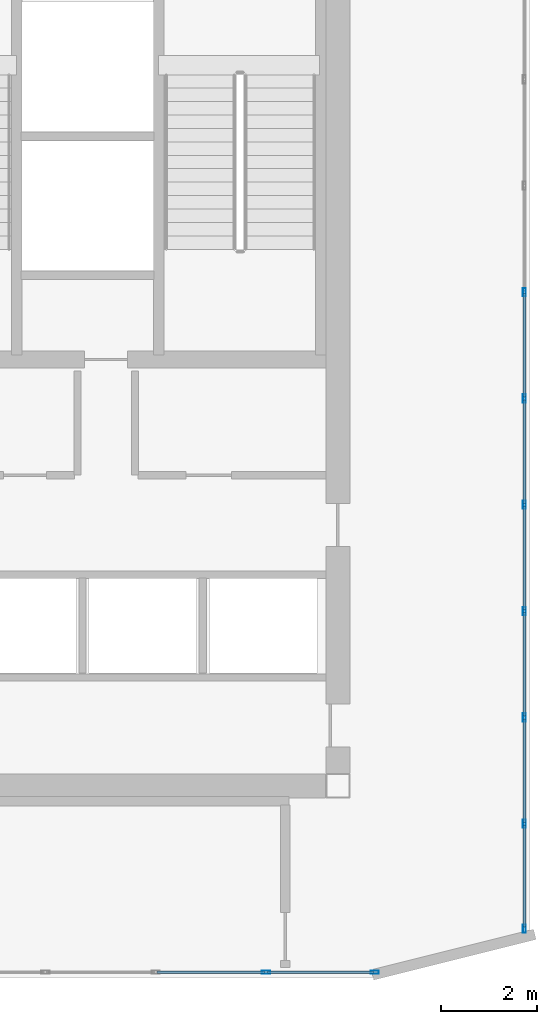
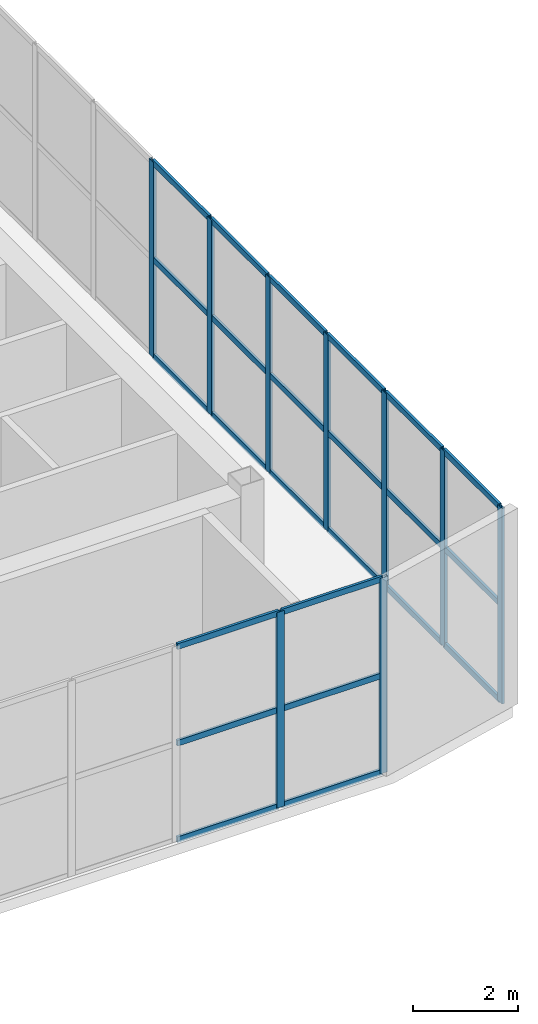
# One storey, part 3 of 9: 33 members, 2 elements without a shape of their own.
"""IFC4 building model written with IfcOpenShell, lengths in metres."""

from ifc_helpers import new_model, si_unit, direction, frame, origin, origin_2d, place, context, subcontext, project, spatial, hollow_rectangle, extrude, material, layer, layer_set, material_profile, profile_set, type_object, element, aggregate, save


model = new_model("IFC4")

# Units and contexts
model_context = context("Model", 3, precision=1e-05, world=origin(), true_north=direction((0.0, 1.0)))
body_context = subcontext(model_context, "Body", "Model", "MODEL_VIEW")
ifc_project = project(units=[si_unit("LENGTHUNIT", "METRE"), si_unit("AREAUNIT", "SQUARE_METRE"), si_unit("VOLUMEUNIT", "CUBIC_METRE"), si_unit("PLANEANGLEUNIT", "RADIAN"), si_unit("MASSUNIT", "GRAM", prefix="KILO")], contexts=[model_context])

# Site, building, storey
site_placement = place(None, origin())
site = spatial("IfcSite", under=ifc_project, at=site_placement, CompositionType="ELEMENT")
building_placement = place(site_placement, origin())
building = spatial("IfcBuilding", under=site, at=building_placement, Name="Haolan Belvedere Tower", CompositionType="ELEMENT")
storey_placement = place(building_placement, frame((0.0, 0.0, 328.199951171875)))
storey = spatial("IfcBuildingStorey", under=building, at=storey_placement, Name="L82", CompositionType="ELEMENT", Elevation=328.199951171875)

# Curtain wall, members
ifc_material_1 = material(Name="Anodised champagne-silver aluminium 6063-T6 and Low-E glass", Category="aluminium")
ifc_layer = layer(ifc_material_1, 0.172119140625, Name="Anodised champagne-silver aluminium 6063-T6 and Low-E glass")
ifc_layer_set = layer_set([ifc_layer], Name="Anodised champagne-silver aluminium 6063-T6 and Low-E glass")
curtain_wall_type = type_object("IfcCurtainWallType", Name="CW-SYS-07", PredefinedType="NOTDEFINED", material=ifc_layer_set)
curtain_wall_1_placement = place(storey_placement, origin())
curtain_wall_1 = element("IfcCurtainWall", 1, at=curtain_wall_1_placement, inside=storey, type_object=curtain_wall_type, Name="L82 CW-SYS-07 ribbon curtain wall 2.1", PredefinedType="NOTDEFINED")
ifc_material_2 = material(Name="Anodised aluminium 6063-T6", Category="aluminium")
ifc_material_profile_1 = material_profile(ifc_material_2, hollow_rectangle(XDim=0.06201171875, YDim=0.172119140625, WallThickness=0.00390625, at=origin_2d()), Name="Anodised aluminium 6063-T6")
ifc_profile_set_1 = profile_set([ifc_material_profile_1], Name="Anodised aluminium 6063-T6")
member_type_1 = type_object("IfcMemberType", Name="CW-SYS-07-MUL", PredefinedType="MULLION", material=ifc_profile_set_1)
member_1_placement = place(storey_placement, frame((45.30029296875, 22.510009765625, 0.0), z_axis=(0.0, 0.0, 1.0), x_axis=(0.0, 1.0, 0.0)))
member_1 = element("IfcMember", 2, at=member_1_placement, type_object=member_type_1, Name="CW-07 mullion 8", PredefinedType="MULLION", context=body_context, shape_type="SweptSolid", body=[
    extrude(hollow_rectangle(XDim=0.06201171875, YDim=0.172119140625, WallThickness=0.00390625, at=origin_2d()), origin(), (0.0, 0.0, 1.0), 4.550048828125),
])
member_2_placement = place(storey_placement, frame((47.5693359375, 22.510009765625, 0.0), z_axis=(0.0, 0.0, 1.0), x_axis=(0.0, 1.0, 0.0)))
member_2 = element("IfcMember", 3, at=member_2_placement, type_object=member_type_1, Name="CW-07 mullion 9", PredefinedType="MULLION", context=body_context, shape_type="SweptSolid", body=[
    extrude(hollow_rectangle(XDim=0.06201171875, YDim=0.172119140625, WallThickness=0.00390625, at=origin_2d()), origin(), (0.0, 0.0, 1.0), 4.550048828125),
])

curtain_wall_2_placement = place(storey_placement, origin())
curtain_wall_2 = element("IfcCurtainWall", 4, at=curtain_wall_2_placement, inside=storey, type_object=curtain_wall_type, Name="L82 CW-SYS-07 ribbon curtain wall 4.1", PredefinedType="NOTDEFINED")
member_3_placement = place(storey_placement, frame((50.68994140625, 23.41845703125, 0.0), z_axis=(0.0, 0.0, 1.0), x_axis=(-1.0, 0.0, 0.0)))
member_3 = element("IfcMember", 5, at=member_3_placement, type_object=member_type_1, Name="CW-07 mullion 1", PredefinedType="MULLION", context=body_context, shape_type="SweptSolid", body=[
    extrude(hollow_rectangle(XDim=0.06201171875, YDim=0.172119140625, WallThickness=0.00390625, at=origin_2d()), origin(), (0.0, 0.0, 1.0), 4.550048828125),
])
member_4_placement = place(storey_placement, frame((50.68994140625, 25.60546875, 0.0), z_axis=(0.0, 0.0, 1.0), x_axis=(-1.0, 0.0, 0.0)))
member_4 = element("IfcMember", 6, at=member_4_placement, type_object=member_type_1, Name="CW-07 mullion 2", PredefinedType="MULLION", context=body_context, shape_type="SweptSolid", body=[
    extrude(hollow_rectangle(XDim=0.06201171875, YDim=0.172119140625, WallThickness=0.00390625, at=origin_2d()), origin(), (0.0, 0.0, 1.0), 4.550048828125),
])
member_5_placement = place(storey_placement, frame((50.68994140625, 27.82373046875, 0.0), z_axis=(0.0, 0.0, 1.0), x_axis=(-1.0, 0.0, 0.0)))
member_5 = element("IfcMember", 7, at=member_5_placement, type_object=member_type_1, Name="CW-07 mullion 3", PredefinedType="MULLION", context=body_context, shape_type="SweptSolid", body=[
    extrude(hollow_rectangle(XDim=0.06201171875, YDim=0.172119140625, WallThickness=0.00390625, at=origin_2d()), origin(), (0.0, 0.0, 1.0), 4.550048828125),
])
member_6_placement = place(storey_placement, frame((50.68994140625, 30.041748046875, 0.0), z_axis=(0.0, 0.0, 1.0), x_axis=(-1.0, 0.0, 0.0)))
member_6 = element("IfcMember", 8, at=member_6_placement, type_object=member_type_1, Name="CW-07 mullion 4", PredefinedType="MULLION", context=body_context, shape_type="SweptSolid", body=[
    extrude(hollow_rectangle(XDim=0.06201171875, YDim=0.172119140625, WallThickness=0.00390625, at=origin_2d()), origin(), (0.0, 0.0, 1.0), 4.550048828125),
])
member_7_placement = place(storey_placement, frame((50.68994140625, 32.259765625, 0.0), z_axis=(0.0, 0.0, 1.0), x_axis=(-1.0, 0.0, 0.0)))
member_7 = element("IfcMember", 9, at=member_7_placement, type_object=member_type_1, Name="CW-07 mullion 5", PredefinedType="MULLION", context=body_context, shape_type="SweptSolid", body=[
    extrude(hollow_rectangle(XDim=0.06201171875, YDim=0.172119140625, WallThickness=0.00390625, at=origin_2d()), origin(), (0.0, 0.0, 1.0), 4.550048828125),
])
member_8_placement = place(storey_placement, frame((50.68994140625, 34.477783203125, 0.0), z_axis=(0.0, 0.0, 1.0), x_axis=(-1.0, 0.0, 0.0)))
member_8 = element("IfcMember", 10, at=member_8_placement, type_object=member_type_1, Name="CW-07 mullion 6", PredefinedType="MULLION", context=body_context, shape_type="SweptSolid", body=[
    extrude(hollow_rectangle(XDim=0.06201171875, YDim=0.172119140625, WallThickness=0.00390625, at=origin_2d()), origin(), (0.0, 0.0, 1.0), 4.550048828125),
])
member_9_placement = place(storey_placement, frame((50.68994140625, 36.69580078125, 0.0), z_axis=(0.0, 0.0, 1.0), x_axis=(-1.0, 0.0, 0.0)))
member_9 = element("IfcMember", 11, at=member_9_placement, type_object=member_type_1, Name="CW-07 mullion 7", PredefinedType="MULLION", context=body_context, shape_type="SweptSolid", body=[
    extrude(hollow_rectangle(XDim=0.06201171875, YDim=0.172119140625, WallThickness=0.00390625, at=origin_2d()), origin(), (0.0, 0.0, 1.0), 4.550048828125),
])

# Member
ifc_material_profile_2 = material_profile(ifc_material_2, hollow_rectangle(XDim=0.05810546875, YDim=0.135009765625, WallThickness=0.00390625, at=origin_2d()), Name="Anodised aluminium 6063-T6")
ifc_profile_set_2 = profile_set([ifc_material_profile_2], Name="Anodised aluminium 6063-T6")
member_type_2 = type_object("IfcMemberType", Name="CW-SYS-07-TRN", PredefinedType="USERDEFINED", material=ifc_profile_set_2)
member_10_placement = place(storey_placement, frame((43.03125, 22.510009765625, 0.029052734375), z_axis=(1.0, 0.0, 0.0), x_axis=(0.0, 1.0, 0.0)))
member_10 = element("IfcMember", 12, at=member_10_placement, type_object=member_type_2, Name="CW-07 transom 7.1", ObjectType="TRANSOM", PredefinedType="USERDEFINED", context=body_context, shape_type="SweptSolid", body=[
    extrude(hollow_rectangle(XDim=0.05810546875, YDim=0.135009765625, WallThickness=0.00390625, at=origin_2d()), origin(), (0.0, 0.0, 1.0), 2.238037109375),
])

member_11_placement = place(storey_placement, frame((43.03125, 22.510009765625, 2.275146484375), z_axis=(1.0, 0.0, 0.0), x_axis=(0.0, 1.0, 0.0)))
member_11 = element("IfcMember", 13, at=member_11_placement, type_object=member_type_2, Name="CW-07 transom 7.2", ObjectType="TRANSOM", PredefinedType="USERDEFINED", context=body_context, shape_type="SweptSolid", body=[
    extrude(hollow_rectangle(XDim=0.05810546875, YDim=0.135009765625, WallThickness=0.00390625, at=origin_2d()), origin(), (0.0, 0.0, 1.0), 2.238037109375),
])

member_12_placement = place(storey_placement, frame((43.03125, 22.510009765625, 4.52099609375), z_axis=(1.0, 0.0, 0.0), x_axis=(0.0, 1.0, 0.0)))
member_12 = element("IfcMember", 14, at=member_12_placement, type_object=member_type_2, Name="CW-07 transom 7.3", ObjectType="TRANSOM", PredefinedType="USERDEFINED", context=body_context, shape_type="SweptSolid", body=[
    extrude(hollow_rectangle(XDim=0.05810546875, YDim=0.135009765625, WallThickness=0.00390625, at=origin_2d()), origin(), (0.0, 0.0, 1.0), 2.238037109375),
])

member_13_placement = place(storey_placement, frame((45.331298828125, 22.510009765625, 0.029052734375), z_axis=(1.0, 0.0, 0.0), x_axis=(0.0, 1.0, 0.0)))
member_13 = element("IfcMember", 15, at=member_13_placement, type_object=member_type_2, Name="CW-07 transom 8.1", ObjectType="TRANSOM", PredefinedType="USERDEFINED", context=body_context, shape_type="SweptSolid", body=[
    extrude(hollow_rectangle(XDim=0.05810546875, YDim=0.135009765625, WallThickness=0.00390625, at=origin_2d()), origin(), (0.0, 0.0, 1.0), 2.20703125),
])

member_14_placement = place(storey_placement, frame((45.331298828125, 22.510009765625, 2.275146484375), z_axis=(1.0, 0.0, 0.0), x_axis=(0.0, 1.0, 0.0)))
member_14 = element("IfcMember", 16, at=member_14_placement, type_object=member_type_2, Name="CW-07 transom 8.2", ObjectType="TRANSOM", PredefinedType="USERDEFINED", context=body_context, shape_type="SweptSolid", body=[
    extrude(hollow_rectangle(XDim=0.05810546875, YDim=0.135009765625, WallThickness=0.00390625, at=origin_2d()), origin(), (0.0, 0.0, 1.0), 2.20703125),
])

member_15_placement = place(storey_placement, frame((45.331298828125, 22.510009765625, 4.52099609375), z_axis=(1.0, 0.0, 0.0), x_axis=(0.0, 1.0, 0.0)))
member_15 = element("IfcMember", 17, at=member_15_placement, type_object=member_type_2, Name="CW-07 transom 8.3", ObjectType="TRANSOM", PredefinedType="USERDEFINED", context=body_context, shape_type="SweptSolid", body=[
    extrude(hollow_rectangle(XDim=0.05810546875, YDim=0.135009765625, WallThickness=0.00390625, at=origin_2d()), origin(), (0.0, 0.0, 1.0), 2.20703125),
])

aggregate(curtain_wall_1, [member_1, member_2, member_10, member_11, member_12, member_13, member_14, member_15])

member_16_placement = place(storey_placement, frame((50.68994140625, 23.449462890625, 0.029052734375), z_axis=(0.0, 1.0, 0.0), x_axis=(-1.0, 0.0, 0.0)))
member_16 = element("IfcMember", 18, at=member_16_placement, type_object=member_type_2, Name="CW-07 transom 1.1", ObjectType="TRANSOM", PredefinedType="USERDEFINED", context=body_context, shape_type="SweptSolid", body=[
    extrude(hollow_rectangle(XDim=0.05810546875, YDim=0.135009765625, WallThickness=0.00390625, at=origin_2d()), origin(), (0.0, 0.0, 1.0), 2.125),
])

member_17_placement = place(storey_placement, frame((50.68994140625, 23.449462890625, 2.275146484375), z_axis=(0.0, 1.0, 0.0), x_axis=(-1.0, 0.0, 0.0)))
member_17 = element("IfcMember", 19, at=member_17_placement, type_object=member_type_2, Name="CW-07 transom 1.2", ObjectType="TRANSOM", PredefinedType="USERDEFINED", context=body_context, shape_type="SweptSolid", body=[
    extrude(hollow_rectangle(XDim=0.05810546875, YDim=0.135009765625, WallThickness=0.00390625, at=origin_2d()), origin(), (0.0, 0.0, 1.0), 2.125),
])

member_18_placement = place(storey_placement, frame((50.68994140625, 23.449462890625, 4.52099609375), z_axis=(0.0, 1.0, 0.0), x_axis=(-1.0, 0.0, 0.0)))
member_18 = element("IfcMember", 20, at=member_18_placement, type_object=member_type_2, Name="CW-07 transom 1.3", ObjectType="TRANSOM", PredefinedType="USERDEFINED", context=body_context, shape_type="SweptSolid", body=[
    extrude(hollow_rectangle(XDim=0.05810546875, YDim=0.135009765625, WallThickness=0.00390625, at=origin_2d()), origin(), (0.0, 0.0, 1.0), 2.125),
])

member_19_placement = place(storey_placement, frame((50.68994140625, 25.636474609375, 0.029052734375), z_axis=(0.0, 1.0, 0.0), x_axis=(-1.0, 0.0, 0.0)))
member_19 = element("IfcMember", 21, at=member_19_placement, type_object=member_type_2, Name="CW-07 transom 2.1", ObjectType="TRANSOM", PredefinedType="USERDEFINED", context=body_context, shape_type="SweptSolid", body=[
    extrude(hollow_rectangle(XDim=0.05810546875, YDim=0.135009765625, WallThickness=0.00390625, at=origin_2d()), origin(), (0.0, 0.0, 1.0), 2.15625),
])

member_20_placement = place(storey_placement, frame((50.68994140625, 25.636474609375, 2.275146484375), z_axis=(0.0, 1.0, 0.0), x_axis=(-1.0, 0.0, 0.0)))
member_20 = element("IfcMember", 22, at=member_20_placement, type_object=member_type_2, Name="CW-07 transom 2.2", ObjectType="TRANSOM", PredefinedType="USERDEFINED", context=body_context, shape_type="SweptSolid", body=[
    extrude(hollow_rectangle(XDim=0.05810546875, YDim=0.135009765625, WallThickness=0.00390625, at=origin_2d()), origin(), (0.0, 0.0, 1.0), 2.15625),
])

member_21_placement = place(storey_placement, frame((50.68994140625, 25.636474609375, 4.52099609375), z_axis=(0.0, 1.0, 0.0), x_axis=(-1.0, 0.0, 0.0)))
member_21 = element("IfcMember", 23, at=member_21_placement, type_object=member_type_2, Name="CW-07 transom 2.3", ObjectType="TRANSOM", PredefinedType="USERDEFINED", context=body_context, shape_type="SweptSolid", body=[
    extrude(hollow_rectangle(XDim=0.05810546875, YDim=0.135009765625, WallThickness=0.00390625, at=origin_2d()), origin(), (0.0, 0.0, 1.0), 2.15625),
])

member_22_placement = place(storey_placement, frame((50.68994140625, 27.8544921875, 0.029052734375), z_axis=(0.0, 1.0, 0.0), x_axis=(-1.0, 0.0, 0.0)))
member_22 = element("IfcMember", 24, at=member_22_placement, type_object=member_type_2, Name="CW-07 transom 3.1", ObjectType="TRANSOM", PredefinedType="USERDEFINED", context=body_context, shape_type="SweptSolid", body=[
    extrude(hollow_rectangle(XDim=0.05810546875, YDim=0.135009765625, WallThickness=0.00390625, at=origin_2d()), origin(), (0.0, 0.0, 1.0), 2.15625),
])

member_23_placement = place(storey_placement, frame((50.68994140625, 27.8544921875, 2.275146484375), z_axis=(0.0, 1.0, 0.0), x_axis=(-1.0, 0.0, 0.0)))
member_23 = element("IfcMember", 25, at=member_23_placement, type_object=member_type_2, Name="CW-07 transom 3.2", ObjectType="TRANSOM", PredefinedType="USERDEFINED", context=body_context, shape_type="SweptSolid", body=[
    extrude(hollow_rectangle(XDim=0.05810546875, YDim=0.135009765625, WallThickness=0.00390625, at=origin_2d()), origin(), (0.0, 0.0, 1.0), 2.15625),
])

member_24_placement = place(storey_placement, frame((50.68994140625, 27.8544921875, 4.52099609375), z_axis=(0.0, 1.0, 0.0), x_axis=(-1.0, 0.0, 0.0)))
member_24 = element("IfcMember", 26, at=member_24_placement, type_object=member_type_2, Name="CW-07 transom 3.3", ObjectType="TRANSOM", PredefinedType="USERDEFINED", context=body_context, shape_type="SweptSolid", body=[
    extrude(hollow_rectangle(XDim=0.05810546875, YDim=0.135009765625, WallThickness=0.00390625, at=origin_2d()), origin(), (0.0, 0.0, 1.0), 2.15625),
])

member_25_placement = place(storey_placement, frame((50.68994140625, 30.07275390625, 0.029052734375), z_axis=(0.0, 1.0, 0.0), x_axis=(-1.0, 0.0, 0.0)))
member_25 = element("IfcMember", 27, at=member_25_placement, type_object=member_type_2, Name="CW-07 transom 4.1", ObjectType="TRANSOM", PredefinedType="USERDEFINED", context=body_context, shape_type="SweptSolid", body=[
    extrude(hollow_rectangle(XDim=0.05810546875, YDim=0.135009765625, WallThickness=0.00390625, at=origin_2d()), origin(), (0.0, 0.0, 1.0), 2.156005859375),
])

member_26_placement = place(storey_placement, frame((50.68994140625, 30.07275390625, 2.275146484375), z_axis=(0.0, 1.0, 0.0), x_axis=(-1.0, 0.0, 0.0)))
member_26 = element("IfcMember", 28, at=member_26_placement, type_object=member_type_2, Name="CW-07 transom 4.2", ObjectType="TRANSOM", PredefinedType="USERDEFINED", context=body_context, shape_type="SweptSolid", body=[
    extrude(hollow_rectangle(XDim=0.05810546875, YDim=0.135009765625, WallThickness=0.00390625, at=origin_2d()), origin(), (0.0, 0.0, 1.0), 2.156005859375),
])

member_27_placement = place(storey_placement, frame((50.68994140625, 30.07275390625, 4.52099609375), z_axis=(0.0, 1.0, 0.0), x_axis=(-1.0, 0.0, 0.0)))
member_27 = element("IfcMember", 29, at=member_27_placement, type_object=member_type_2, Name="CW-07 transom 4.3", ObjectType="TRANSOM", PredefinedType="USERDEFINED", context=body_context, shape_type="SweptSolid", body=[
    extrude(hollow_rectangle(XDim=0.05810546875, YDim=0.135009765625, WallThickness=0.00390625, at=origin_2d()), origin(), (0.0, 0.0, 1.0), 2.156005859375),
])

member_28_placement = place(storey_placement, frame((50.68994140625, 32.290771484375, 0.029052734375), z_axis=(0.0, 1.0, 0.0), x_axis=(-1.0, 0.0, 0.0)))
member_28 = element("IfcMember", 30, at=member_28_placement, type_object=member_type_2, Name="CW-07 transom 5.1", ObjectType="TRANSOM", PredefinedType="USERDEFINED", context=body_context, shape_type="SweptSolid", body=[
    extrude(hollow_rectangle(XDim=0.05810546875, YDim=0.135009765625, WallThickness=0.00390625, at=origin_2d()), origin(), (0.0, 0.0, 1.0), 2.156005859375),
])

member_29_placement = place(storey_placement, frame((50.68994140625, 32.290771484375, 2.275146484375), z_axis=(0.0, 1.0, 0.0), x_axis=(-1.0, 0.0, 0.0)))
member_29 = element("IfcMember", 31, at=member_29_placement, type_object=member_type_2, Name="CW-07 transom 5.2", ObjectType="TRANSOM", PredefinedType="USERDEFINED", context=body_context, shape_type="SweptSolid", body=[
    extrude(hollow_rectangle(XDim=0.05810546875, YDim=0.135009765625, WallThickness=0.00390625, at=origin_2d()), origin(), (0.0, 0.0, 1.0), 2.156005859375),
])

member_30_placement = place(storey_placement, frame((50.68994140625, 32.290771484375, 4.52099609375), z_axis=(0.0, 1.0, 0.0), x_axis=(-1.0, 0.0, 0.0)))
member_30 = element("IfcMember", 32, at=member_30_placement, type_object=member_type_2, Name="CW-07 transom 5.3", ObjectType="TRANSOM", PredefinedType="USERDEFINED", context=body_context, shape_type="SweptSolid", body=[
    extrude(hollow_rectangle(XDim=0.05810546875, YDim=0.135009765625, WallThickness=0.00390625, at=origin_2d()), origin(), (0.0, 0.0, 1.0), 2.156005859375),
])

member_31_placement = place(storey_placement, frame((50.68994140625, 34.5087890625, 0.029052734375), z_axis=(0.0, 1.0, 0.0), x_axis=(-1.0, 0.0, 0.0)))
member_31 = element("IfcMember", 33, at=member_31_placement, type_object=member_type_2, Name="CW-07 transom 6.1", ObjectType="TRANSOM", PredefinedType="USERDEFINED", context=body_context, shape_type="SweptSolid", body=[
    extrude(hollow_rectangle(XDim=0.05810546875, YDim=0.135009765625, WallThickness=0.00390625, at=origin_2d()), origin(), (0.0, 0.0, 1.0), 2.156005859375),
])

member_32_placement = place(storey_placement, frame((50.68994140625, 34.5087890625, 2.275146484375), z_axis=(0.0, 1.0, 0.0), x_axis=(-1.0, 0.0, 0.0)))
member_32 = element("IfcMember", 34, at=member_32_placement, type_object=member_type_2, Name="CW-07 transom 6.2", ObjectType="TRANSOM", PredefinedType="USERDEFINED", context=body_context, shape_type="SweptSolid", body=[
    extrude(hollow_rectangle(XDim=0.05810546875, YDim=0.135009765625, WallThickness=0.00390625, at=origin_2d()), origin(), (0.0, 0.0, 1.0), 2.156005859375),
])

member_33_placement = place(storey_placement, frame((50.68994140625, 34.5087890625, 4.52099609375), z_axis=(0.0, 1.0, 0.0), x_axis=(-1.0, 0.0, 0.0)))
member_33 = element("IfcMember", 35, at=member_33_placement, type_object=member_type_2, Name="CW-07 transom 6.3", ObjectType="TRANSOM", PredefinedType="USERDEFINED", context=body_context, shape_type="SweptSolid", body=[
    extrude(hollow_rectangle(XDim=0.05810546875, YDim=0.135009765625, WallThickness=0.00390625, at=origin_2d()), origin(), (0.0, 0.0, 1.0), 2.156005859375),
])

aggregate(curtain_wall_2, [member_3, member_4, member_5, member_6, member_7, member_8, member_9, member_16, member_17, member_18, member_19, member_20, member_21, member_22, member_23, member_24, member_25, member_26, member_27, member_28, member_29, member_30, member_31, member_32, member_33])

save(model, "model.ifc")
